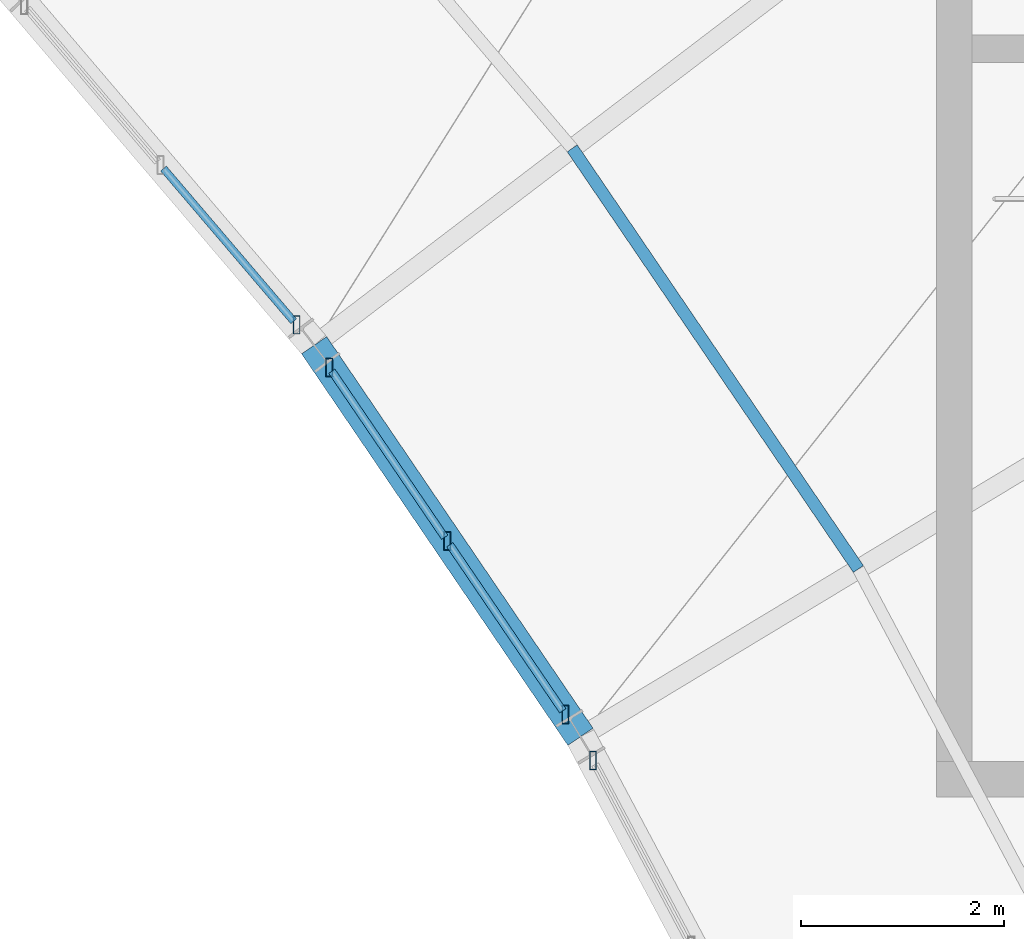
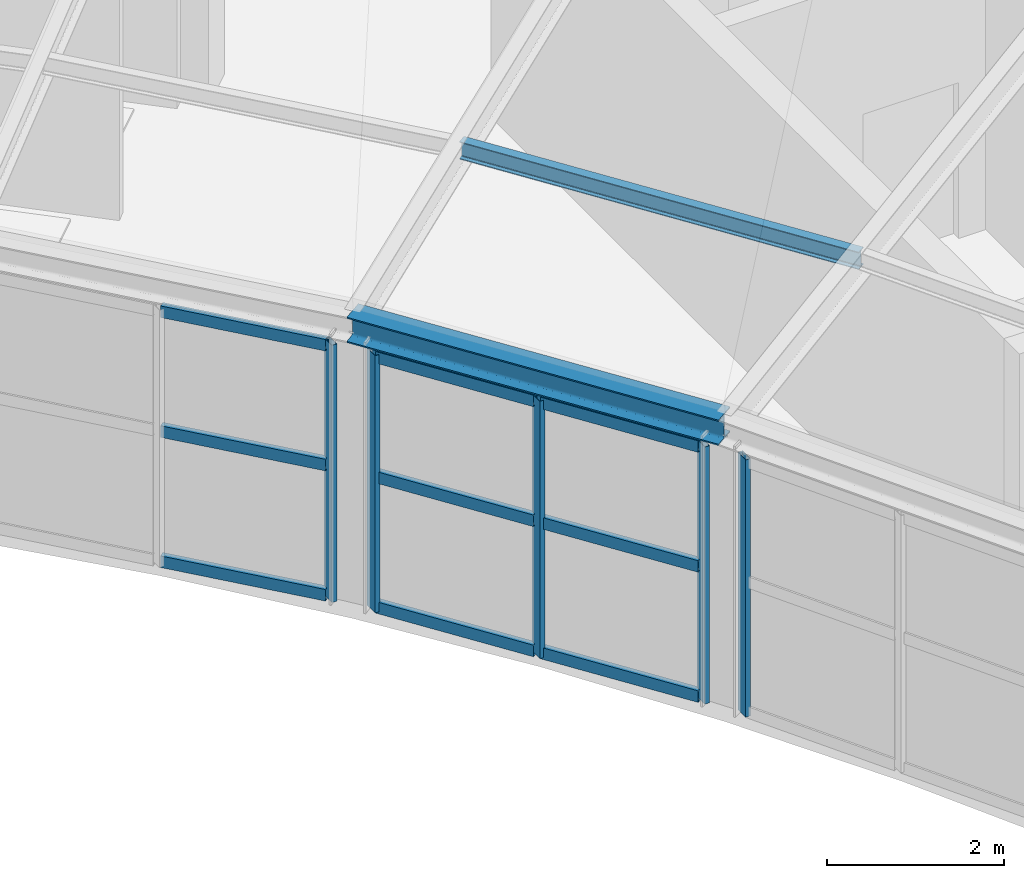
# One storey, part 14 of 36: 15 members, 1 beam, 3 elements without a shape of their own.
"""IFC4 building model written with IfcOpenShell, lengths in metres."""

from ifc_helpers import new_model, si_unit, direction, frame, origin, origin_2d, place, context, subcontext, project, spatial, hollow_rectangle, i_section, extrude, material, material_profile, profile_set, type_object, element, aggregate, save


model = new_model("IFC4")

# Units and contexts
model_context = context("Model", 3, precision=1e-05, world=origin(), true_north=direction((0.0, 1.0)))
body_context = subcontext(model_context, "Body", "Model", "MODEL_VIEW")
ifc_project = project(units=[si_unit("LENGTHUNIT", "METRE"), si_unit("AREAUNIT", "SQUARE_METRE"), si_unit("VOLUMEUNIT", "CUBIC_METRE"), si_unit("PLANEANGLEUNIT", "RADIAN"), si_unit("MASSUNIT", "GRAM", prefix="KILO")], contexts=[model_context])

# Site, building, storey
site_placement = place(None, origin())
site = spatial("IfcSite", under=ifc_project, at=site_placement, CompositionType="ELEMENT")
building_placement = place(site_placement, origin())
building = spatial("IfcBuilding", under=site, at=building_placement, Name="Tarnveldt Headland Concert Hall", CompositionType="ELEMENT")
storey_placement = place(building_placement, frame((0.0, 0.0, 22.800048828125)))
storey = spatial("IfcBuildingStorey", under=building, at=storey_placement, Name="L05", CompositionType="ELEMENT", Elevation=22.800048828125)

# Curtain wall, member
ifc_material_1 = material(Name="Marine-anodised aluminium EN AW-6063-T6", Category="aluminium")
curtain_wall_type = type_object("IfcCurtainWallType", Name="CW-C6", PredefinedType="NOTDEFINED", material=ifc_material_1)
curtain_wall_1_placement = place(storey_placement, origin())
curtain_wall_1 = element("IfcCurtainWall", 1, at=curtain_wall_1_placement, inside=storey, type_object=curtain_wall_type, Name="Curtain wall CW-L05-158", PredefinedType="NOTDEFINED")
ifc_material_profile_1 = material_profile(ifc_material_1, hollow_rectangle(XDim=0.06494140625, YDim=0.179931640625, WallThickness=0.00390625, at=origin_2d()), Name="ALU MULLION 65x180x4", Category="aluminium")
ifc_profile_set_1 = profile_set([ifc_material_profile_1], Name="Marine-anodised aluminium EN AW-6063-T6")
member_type_1 = type_object("IfcMemberType", Name="ML-180", PredefinedType="MULLION", material=ifc_profile_set_1)
member_1_placement = place(storey_placement, frame((154.439697265625, 81.984130859375, 0.0), z_axis=(0.0, 0.0, 1.0), x_axis=(1.0, 0.0, 0.0)))
member_1 = element("IfcMember", 2, at=member_1_placement, type_object=member_type_1, Name="Mullion CW-L05-158-3", PredefinedType="MULLION", context=body_context, shape_type="SweptSolid", body=[
    extrude(hollow_rectangle(XDim=0.06494140625, YDim=0.179931640625, WallThickness=0.00390625, at=origin_2d()), origin(), (0.0, 0.0, 1.0), 3.550048828125),
])
aggregate(curtain_wall_1, [member_1])

# Curtain wall, members
curtain_wall_2_placement = place(storey_placement, origin())
curtain_wall_2 = element("IfcCurtainWall", 3, at=curtain_wall_2_placement, inside=storey, type_object=curtain_wall_type, Name="Curtain wall CW-L05-159", PredefinedType="NOTDEFINED")
member_2_placement = place(storey_placement, frame((154.166259765625, 82.437255859375, 0.0), z_axis=(0.0, 0.0, 1.0), x_axis=(1.0, 0.0, 0.0)))
member_2 = element("IfcMember", 4, at=member_2_placement, type_object=member_type_1, Name="Mullion CW-L05-159-1", PredefinedType="MULLION", context=body_context, shape_type="SweptSolid", body=[
    extrude(hollow_rectangle(XDim=0.06494140625, YDim=0.179931640625, WallThickness=0.00390625, at=origin_2d()), origin(), (0.0, 0.0, 1.0), 3.550048828125),
])
member_3_placement = place(storey_placement, frame((153.002685546875, 84.147705078125, 0.0), z_axis=(0.0, 0.0, 1.0), x_axis=(1.0, 0.0, 0.0)))
member_3 = element("IfcMember", 5, at=member_3_placement, type_object=member_type_1, Name="Mullion CW-L05-159-2", PredefinedType="MULLION", context=body_context, shape_type="SweptSolid", body=[
    extrude(hollow_rectangle(XDim=0.06494140625, YDim=0.179931640625, WallThickness=0.00390625, at=origin_2d()), origin(), (0.0, 0.0, 1.0), 3.550048828125),
])
member_4_placement = place(storey_placement, frame((151.839111328125, 85.8583984375, 0.0), z_axis=(0.0, 0.0, 1.0), x_axis=(1.0, 0.0, 0.0)))
member_4 = element("IfcMember", 6, at=member_4_placement, type_object=member_type_1, Name="Mullion CW-L05-159-3", PredefinedType="MULLION", context=body_context, shape_type="SweptSolid", body=[
    extrude(hollow_rectangle(XDim=0.06494140625, YDim=0.179931640625, WallThickness=0.00390625, at=origin_2d()), origin(), (0.0, 0.0, 1.0), 3.550048828125),
])

# Curtain wall, member
curtain_wall_3_placement = place(storey_placement, origin())
curtain_wall_3 = element("IfcCurtainWall", 7, at=curtain_wall_3_placement, inside=storey, type_object=curtain_wall_type, Name="Curtain wall CW-L05-160", PredefinedType="NOTDEFINED")
member_5_placement = place(storey_placement, frame((151.518310546875, 86.279052734375, 0.0), z_axis=(0.0, 0.0, 1.0), x_axis=(1.0, 0.0, 0.0)))
member_5 = element("IfcMember", 8, at=member_5_placement, type_object=member_type_1, Name="Mullion CW-L05-160-1", PredefinedType="MULLION", context=body_context, shape_type="SweptSolid", body=[
    extrude(hollow_rectangle(XDim=0.06494140625, YDim=0.179931640625, WallThickness=0.00390625, at=origin_2d()), origin(), (0.0, 0.0, 1.0), 3.550048828125),
])

# Member
ifc_material_2 = material(Name="Steel S355", Category="steel")
ifc_material_profile_2 = material_profile(ifc_material_2, i_section(OverallWidth=0.1201171875, OverallDepth=0.239990234375, WebThickness=0.006103515625, FlangeThickness=0.009765625, FilletRadius=0.014892578125, at=origin_2d()), Name="IPE240", Category="steel")
ifc_profile_set_2 = profile_set([ifc_material_profile_2], Name="Steel S355")
member_type_2 = type_object("IfcMemberType", Name="PR-IPE240", PredefinedType="PURLIN", material=ifc_profile_set_2)
member_6_placement = place(storey_placement, frame((157.054931640625, 83.87158203125, 4.2080078125), z_axis=(-0.562405895634, 0.826861299467, 0.0), x_axis=(-0.826861299467, -0.562405895634, 0.0)))
element("IfcMember", 9, at=member_6_placement, inside=storey, type_object=member_type_2, Name="Crescent roof purlin 14-46", PredefinedType="PURLIN", context=body_context, shape_type="SweptSolid", body=[
    extrude(i_section(OverallWidth=0.1201171875, OverallDepth=0.239990234375, WebThickness=0.006103515625, FlangeThickness=0.009765625, FilletRadius=0.014892578125, at=origin_2d()), origin(), (0.0, 0.0, 1.0), 5.0146484375),
])

# Beam
ifc_material_profile_3 = material_profile(ifc_material_2, i_section(OverallWidth=0.300048828125, OverallDepth=0.35009765625, WebThickness=0.010009765625, FlangeThickness=0.017578125, FilletRadius=0.027099609375, at=origin_2d()), Name="HEA360", Category="steel")
ifc_profile_set_3 = profile_set([ifc_material_profile_3], Name="Steel S355")
beam_type = type_object("IfcBeamType", Name="SB-HEA360", PredefinedType="SPANDREL", material=ifc_profile_set_3)
beam_placement = place(storey_placement, frame((154.315185546875, 82.218017578125, 3.85498046875), z_axis=(-0.56240158329, 0.826864232575, 0.0), x_axis=(-0.826864232575, -0.56240158329, 0.0)))
element("IfcBeam", 10, at=beam_placement, inside=storey, type_object=beam_type, Name="Crescent L05 IN eaves girder 14", PredefinedType="SPANDREL", context=body_context, shape_type="SweptSolid", body=[
    extrude(i_section(OverallWidth=0.300048828125, OverallDepth=0.35009765625, WebThickness=0.010009765625, FlangeThickness=0.017578125, FilletRadius=0.027099609375, at=origin_2d()), origin(), (0.0, 0.0, 1.0), 4.66748046875),
])

# Member
ifc_material_profile_4 = material_profile(ifc_material_1, hollow_rectangle(XDim=0.074951171875, YDim=0.159912109375, WallThickness=0.00390625, at=origin_2d()), Name="ALU TRANSOM 75x160x4", Category="aluminium")
ifc_profile_set_4 = profile_set([ifc_material_profile_4], Name="Marine-anodised aluminium EN AW-6063-T6")
member_type_3 = type_object("IfcMemberType", Name="TR-160", PredefinedType="MEMBER", material=ifc_profile_set_4)
member_7_placement = place(storey_placement, frame((154.14111328125, 82.47412109375, 0.050048828125), z_axis=(-0.562444933118, 0.826834746011, 0.0), x_axis=(-0.826834746011, -0.562444933118, 0.0)))
member_7 = element("IfcMember", 11, at=member_7_placement, type_object=member_type_3, Name="Transom CW-L05-159-1-1", PredefinedType="MEMBER", context=body_context, shape_type="SweptSolid", body=[
    extrude(hollow_rectangle(XDim=0.074951171875, YDim=0.159912109375, WallThickness=0.00390625, at=origin_2d()), origin(), (0.0, 0.0, 1.0), 1.979736328125),
])

member_8_placement = place(storey_placement, frame((154.14111328125, 82.47412109375, 1.845947265625), z_axis=(-0.562444933118, 0.826834746011, 0.0), x_axis=(-0.826834746011, -0.562444933118, 0.0)))
member_8 = element("IfcMember", 12, at=member_8_placement, type_object=member_type_3, Name="Transom CW-L05-159-1-2", PredefinedType="MEMBER", context=body_context, shape_type="SweptSolid", body=[
    extrude(hollow_rectangle(XDim=0.074951171875, YDim=0.159912109375, WallThickness=0.00390625, at=origin_2d()), origin(), (0.0, 0.0, 1.0), 1.979736328125),
])

member_9_placement = place(storey_placement, frame((154.14111328125, 82.47412109375, 3.5), z_axis=(-0.562444933118, 0.826834746011, 0.0), x_axis=(-0.826834746011, -0.562444933118, 0.0)))
member_9 = element("IfcMember", 13, at=member_9_placement, type_object=member_type_3, Name="Transom CW-L05-159-1-3", PredefinedType="MEMBER", context=body_context, shape_type="SweptSolid", body=[
    extrude(hollow_rectangle(XDim=0.074951171875, YDim=0.159912109375, WallThickness=0.00390625, at=origin_2d()), origin(), (0.0, 0.0, 1.0), 1.979736328125),
])

member_10_placement = place(storey_placement, frame((152.977783203125, 84.1845703125, 0.050048828125), z_axis=(-0.562444933118, 0.826834746011, 0.0), x_axis=(-0.826834746011, -0.562444933118, 0.0)))
member_10 = element("IfcMember", 14, at=member_10_placement, type_object=member_type_3, Name="Transom CW-L05-159-2-1", PredefinedType="MEMBER", context=body_context, shape_type="SweptSolid", body=[
    extrude(hollow_rectangle(XDim=0.074951171875, YDim=0.159912109375, WallThickness=0.00390625, at=origin_2d()), origin(), (0.0, 0.0, 1.0), 1.979736328125),
])

member_11_placement = place(storey_placement, frame((152.977783203125, 84.1845703125, 1.845947265625), z_axis=(-0.562444933118, 0.826834746011, 0.0), x_axis=(-0.826834746011, -0.562444933118, 0.0)))
member_11 = element("IfcMember", 15, at=member_11_placement, type_object=member_type_3, Name="Transom CW-L05-159-2-2", PredefinedType="MEMBER", context=body_context, shape_type="SweptSolid", body=[
    extrude(hollow_rectangle(XDim=0.074951171875, YDim=0.159912109375, WallThickness=0.00390625, at=origin_2d()), origin(), (0.0, 0.0, 1.0), 1.979736328125),
])

member_12_placement = place(storey_placement, frame((152.977783203125, 84.1845703125, 3.5), z_axis=(-0.562444933118, 0.826834746011, 0.0), x_axis=(-0.826834746011, -0.562444933118, 0.0)))
member_12 = element("IfcMember", 16, at=member_12_placement, type_object=member_type_3, Name="Transom CW-L05-159-2-3", PredefinedType="MEMBER", context=body_context, shape_type="SweptSolid", body=[
    extrude(hollow_rectangle(XDim=0.074951171875, YDim=0.159912109375, WallThickness=0.00390625, at=origin_2d()), origin(), (0.0, 0.0, 1.0), 1.979736328125),
])

aggregate(curtain_wall_2, [member_2, member_3, member_4, member_7, member_8, member_9, member_10, member_11, member_12])

member_13_placement = place(storey_placement, frame((151.489501953125, 86.31298828125, 0.050048828125), z_axis=(-0.648768128192, 0.760986146945, 0.0), x_axis=(-0.760986146945, -0.648768128192, 0.0)))
member_13 = element("IfcMember", 17, at=member_13_placement, type_object=member_type_3, Name="Transom CW-L05-160-1-1", PredefinedType="MEMBER", context=body_context, shape_type="SweptSolid", body=[
    extrude(hollow_rectangle(XDim=0.074951171875, YDim=0.159912109375, WallThickness=0.00390625, at=origin_2d()), origin(), (0.0, 0.0, 1.0), 1.979736328125),
])

member_14_placement = place(storey_placement, frame((151.489501953125, 86.31298828125, 1.845947265625), z_axis=(-0.648768128192, 0.760986146945, 0.0), x_axis=(-0.760986146945, -0.648768128192, 0.0)))
member_14 = element("IfcMember", 18, at=member_14_placement, type_object=member_type_3, Name="Transom CW-L05-160-1-2", PredefinedType="MEMBER", context=body_context, shape_type="SweptSolid", body=[
    extrude(hollow_rectangle(XDim=0.074951171875, YDim=0.159912109375, WallThickness=0.00390625, at=origin_2d()), origin(), (0.0, 0.0, 1.0), 1.979736328125),
])

member_15_placement = place(storey_placement, frame((151.489501953125, 86.31298828125, 3.5), z_axis=(-0.648768128192, 0.760986146945, 0.0), x_axis=(-0.760986146945, -0.648768128192, 0.0)))
member_15 = element("IfcMember", 19, at=member_15_placement, type_object=member_type_3, Name="Transom CW-L05-160-1-3", PredefinedType="MEMBER", context=body_context, shape_type="SweptSolid", body=[
    extrude(hollow_rectangle(XDim=0.074951171875, YDim=0.159912109375, WallThickness=0.00390625, at=origin_2d()), origin(), (0.0, 0.0, 1.0), 1.979736328125),
])

aggregate(curtain_wall_3, [member_5, member_13, member_14, member_15])

save(model, "model.ifc")
